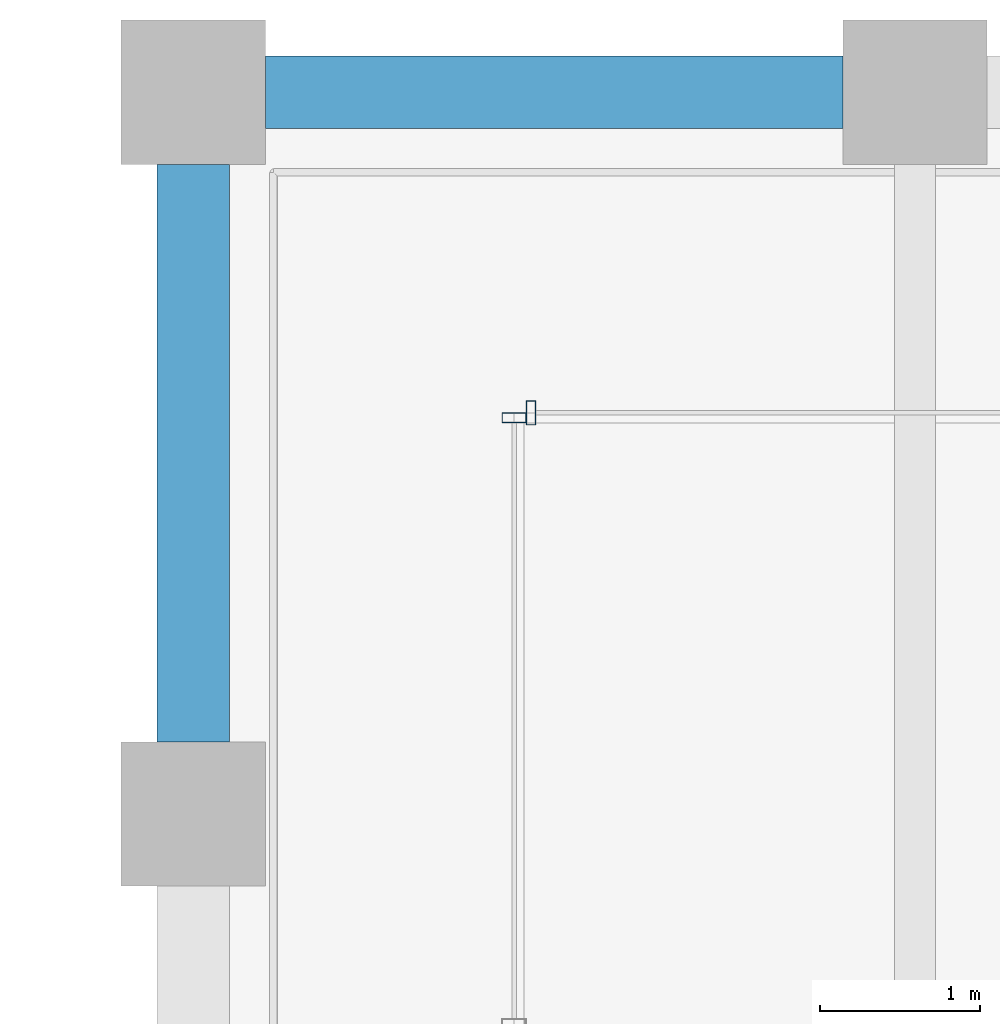
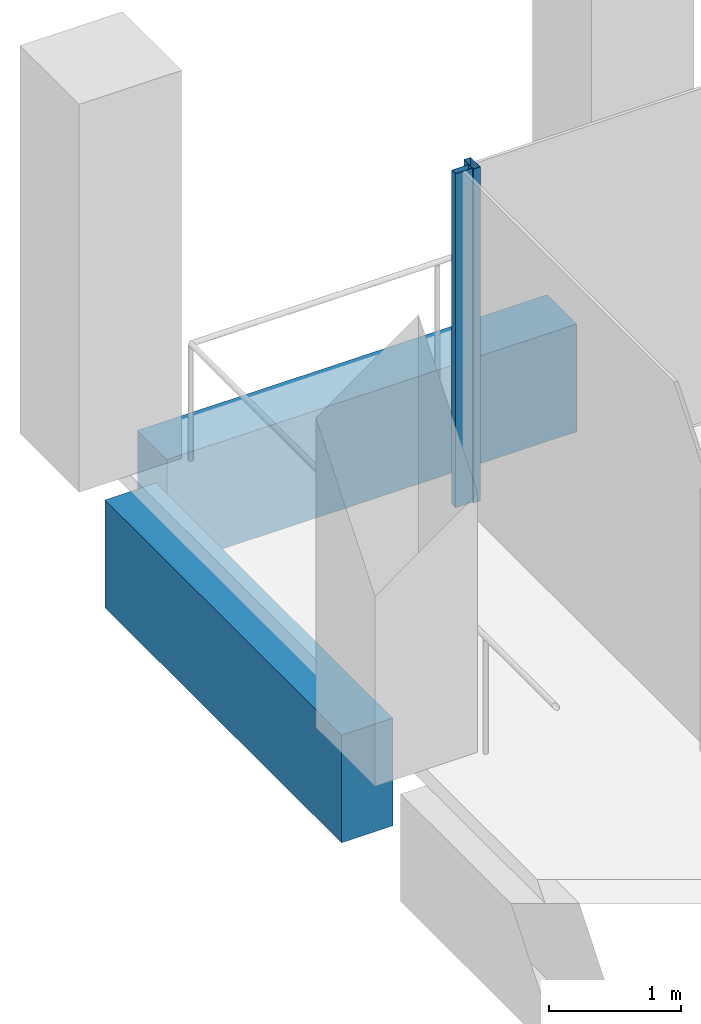
# One storey, part 21 of 40: 2 beams, 2 members, 2 elements without a shape of their own.
"""IFC4 building model written with IfcOpenShell, lengths in metres."""

import ifcopenshell
import ifcopenshell.guid

model = None  # the IFC model being written
_history = None  # IfcOwnerHistory: only IFC2X3 demands one
_inside = {}  # id of a spatial element -> (the spatial element, [elements in it])
_under = {}  # id of a project, library or spatial element -> (it, [spatial elements below it])
_declared = {}  # id of a project -> (the project, [libraries it declares])
_typed = {}  # id of a type object -> (the type object, [elements of that type])
_made_of = {}  # id of a material, layer set ... -> (it, [elements and type objects made of it])


def new_model(schema):
    """Start an empty IFC model of exactly this schema.

    Asked for "IFC4X3", IfcOpenShell would pick the latest addendum, in which some entities
    have other attributes; the version numbers below select the first issue.
    IFC2X3 requires an IfcOwnerHistory on every rooted entity: one is made here for all.
    """
    global model, _history
    if schema == "IFC4X3":
        model = ifcopenshell.file(schema_version=(4, 3, 0, 0))
    else:
        model = ifcopenshell.file(schema=schema)
    _inside.clear()
    _under.clear()
    _declared.clear()
    _typed.clear()
    _made_of.clear()
    _history = None
    if model.schema == "IFC2X3":
        org = make("IfcOrganization", Name="unknown")
        user = make(
            "IfcPersonAndOrganization",
            ThePerson=make("IfcPerson", FamilyName="unknown"),
            TheOrganization=org,
        )
        app = make(
            "IfcApplication",
            ApplicationDeveloper=org,
            Version="unknown",
            ApplicationFullName="unknown",
            ApplicationIdentifier="unknown",
        )
        _history = make(
            "IfcOwnerHistory",
            OwningUser=user,
            OwningApplication=app,
            ChangeAction="ADDED",
            CreationDate=0,
        )
    return model


def make(cls, **values):
    """One entity of the class cls with the attributes given. An attribute that is None is left unset."""
    return model.create_entity(
        cls, **{name: value for name, value in values.items() if value is not None}
    )


def rooted(cls, **values):
    """An entity with a GlobalId (a new one), such as an element, a storey or a relation."""
    return make(cls, GlobalId=ifcopenshell.guid.new(), OwnerHistory=_history, **values)


def si_unit(unit_type, name, prefix=None):
    """IfcSIUnit, for example si_unit("LENGTHUNIT", "METRE", prefix="MILLI")."""
    return make("IfcSIUnit", UnitType=unit_type, Prefix=prefix, Name=name)


def assignment(units):
    """IfcUnitAssignment: the units of a project."""
    return None if units is None else make("IfcUnitAssignment", Units=units)


def point(xyz):
    """IfcCartesianPoint."""
    return None if xyz is None else make("IfcCartesianPoint", Coordinates=xyz)


def direction(xyz):
    """IfcDirection."""
    return None if xyz is None else make("IfcDirection", DirectionRatios=xyz)


def frame(location, z_axis=None, x_axis=None):
    """IfcAxis2Placement3D, a coordinate frame: its origin and axes. An axis left out is left unset."""
    return make(
        "IfcAxis2Placement3D",
        Location=point(location),
        Axis=direction(z_axis),
        RefDirection=direction(x_axis),
    )


def frame_2d(location, x_axis=None):
    """IfcAxis2Placement2D, a coordinate frame in the plane: its origin and x axis."""
    return make(
        "IfcAxis2Placement2D", Location=point(location), RefDirection=direction(x_axis)
    )


def origin():
    """The frame at (0, 0, 0) with its axes left unset."""
    return frame((0.0, 0.0, 0.0))


def origin_2d():
    """The frame at (0, 0) in the plane with its x axis left unset."""
    return frame_2d((0.0, 0.0))


def place(relative_to, where):
    """IfcLocalPlacement: puts the frame where relative to a parent placement (None: the world)."""
    return make(
        "IfcLocalPlacement", PlacementRelTo=relative_to, RelativePlacement=where
    )


def context(
    kind, dimensions, precision=None, world=None, true_north=None, identifier=None
):
    """IfcGeometricRepresentationContext, for example the 3D "Model" context."""
    return make(
        "IfcGeometricRepresentationContext",
        ContextIdentifier=identifier,
        ContextType=kind,
        CoordinateSpaceDimension=dimensions,
        Precision=precision,
        WorldCoordinateSystem=world,
        TrueNorth=true_north,
    )


def subcontext(parent, identifier, kind, view, scale=None):
    """IfcGeometricRepresentationSubContext, for example "Body" below "Model"."""
    return make(
        "IfcGeometricRepresentationSubContext",
        ContextIdentifier=identifier,
        ContextType=kind,
        ParentContext=parent,
        TargetScale=scale,
        TargetView=view,
    )


def project(units=None, contexts=None):
    """IfcProject with its units and contexts."""
    return rooted(
        "IfcProject",
        Name="project",
        RepresentationContexts=contexts,
        UnitsInContext=assignment(units),
    )


def spatial(cls, under=None, at=None, **own):
    """A site, building, storey or space (cls), placed at a placement, below another one or the project."""
    s = rooted(cls, ObjectPlacement=at, **own)
    if under is not None:
        _under.setdefault(under.id(), (under, []))[1].append(s)
    return s


def profile(cls, at=None, kind="AREA", **sizes):
    """A parametric profile (cls). Its sizes go by their IFC names, for example OverallWidth=200.0."""
    return make(cls, ProfileType=kind, Position=at, **sizes)


def rectangle(**sizes):
    """IfcRectangleProfileDef."""
    return profile("IfcRectangleProfileDef", **sizes)


def hollow_rectangle(**sizes):
    """IfcRectangleHollowProfileDef."""
    return profile("IfcRectangleHollowProfileDef", **sizes)


def extrude(swept, where, along, depth):
    """IfcExtrudedAreaSolid: the profile swept, set in the frame where, extruded along a direction by depth."""
    return make(
        "IfcExtrudedAreaSolid",
        SweptArea=swept,
        Position=where,
        ExtrudedDirection=direction(along),
        Depth=depth,
    )


def shape(context_of_items, identifier, shape_type, items):
    """IfcShapeRepresentation: the items that make up one representation, for example the "Body"."""
    return make(
        "IfcShapeRepresentation",
        ContextOfItems=context_of_items,
        RepresentationIdentifier=identifier,
        RepresentationType=shape_type,
        Items=items,
    )


def material(Name=None, Category=None):
    """IfcMaterial."""
    return make("IfcMaterial", Name=Name, Category=Category)


def material_profile(
    of_material, cross_section, Name=None, Category=None, Priority=None
):
    """IfcMaterialProfile: a cross section and its material."""
    return make(
        "IfcMaterialProfile",
        Name=Name,
        Material=of_material,
        Profile=cross_section,
        Priority=Priority,
        Category=Category,
    )


def profile_set(profiles, Name=None, composite=None):
    """IfcMaterialProfileSet."""
    return make(
        "IfcMaterialProfileSet",
        Name=Name,
        MaterialProfiles=profiles,
        CompositeProfile=composite,
    )


def made_of(thing, what):
    """Note that an element or type object is made of a material, layer set ...; save() writes the relation."""
    if what is not None:
        _made_of.setdefault(what.id(), (what, []))[1].append(thing)
    return thing


def type_object(cls, material=None, **own):
    """A type object (cls), such as IfcWallType, which elements share."""
    return made_of(rooted(cls, **own), material)


def element(
    cls,
    number,
    at=None,
    inside=None,
    cuts=None,
    type_object=None,
    material=None,
    context=None,
    identifier="Body",
    shape_type=None,
    held_by="IfcProductDefinitionShape",
    body=None,
    shapes=None,
    **own,
):
    """One element of the class cls, such as IfcWall. Its Tag is "e" and its number.

    at: its placement. inside: the storey or other place that contains it. cuts: it is an
    opening in that element (IfcRelVoidsElement). A single representation is given by context,
    identifier, shape_type and body (its items); several are given by shapes. held_by: the class
    of the entity that holds the representations. save() writes the other relations.
    """
    e = rooted(cls, Tag="e%d" % number, ObjectPlacement=at, **own)
    if body is not None:
        shapes = [shape(context, identifier, shape_type, body)]
    if shapes is not None:
        e.Representation = make(held_by, Representations=shapes)
    if inside is not None:
        _inside.setdefault(inside.id(), (inside, []))[1].append(e)
    if cuts is not None:
        rooted(
            "IfcRelVoidsElement", RelatingBuildingElement=cuts, RelatedOpeningElement=e
        )
    if type_object is not None:
        _typed.setdefault(type_object.id(), (type_object, []))[1].append(e)
    return made_of(e, material)


def aggregate(whole, parts):
    """IfcRelAggregates: a whole, such as a stair, and the parts it consists of."""
    return rooted("IfcRelAggregates", RelatingObject=whole, RelatedObjects=parts)


def save(model, path):
    """Write the relations noted so far, then the file.

    IfcRelAggregates (storeys below a building ...), IfcRelContainedInSpatialStructure (elements
    in a storey), IfcRelDefinesByType, IfcRelAssociatesMaterial and IfcRelDeclares: one each for
    every whole, place, type object, material and project.
    """
    for whole, parts in _under.values():
        aggregate(whole, parts)
    for where, things in _inside.values():
        rooted(
            "IfcRelContainedInSpatialStructure",
            RelatedElements=things,
            RelatingStructure=where,
        )
    for kind, things in _typed.values():
        rooted("IfcRelDefinesByType", RelatedObjects=things, RelatingType=kind)
    for what, things in _made_of.values():
        rooted("IfcRelAssociatesMaterial", RelatedObjects=things, RelatingMaterial=what)
    for by, libraries in _declared.values():
        rooted("IfcRelDeclares", RelatingContext=by, RelatedDefinitions=libraries)
    model.write(path)


model = new_model("IFC4")

# Units and contexts
model_context = context("Model", 3, precision=1e-05, world=origin(), true_north=direction((0.0, 1.0)))
body_context = subcontext(model_context, "Body", "Model", "MODEL_VIEW")
ifc_project = project(units=[si_unit("LENGTHUNIT", "METRE"), si_unit("AREAUNIT", "SQUARE_METRE"), si_unit("VOLUMEUNIT", "CUBIC_METRE"), si_unit("PLANEANGLEUNIT", "RADIAN"), si_unit("MASSUNIT", "GRAM", prefix="KILO")], contexts=[model_context])

# Site, building, storey
site_placement = place(None, origin())
site = spatial("IfcSite", under=ifc_project, at=site_placement, CompositionType="ELEMENT")
building_placement = place(site_placement, origin())
building = spatial("IfcBuilding", under=site, at=building_placement, Name="Altepetl Exchange Towers", CompositionType="ELEMENT")
storey_placement = place(building_placement, frame((0.0, 0.0, 183.39990234375)))
storey = spatial("IfcBuildingStorey", under=building, at=storey_placement, Name="L46", CompositionType="ELEMENT", Elevation=183.39990234375)

# Curtain wall, member
ifc_material_1 = material(Name="Aluminium 6063-T6 glazing", Category="aluminium")
curtain_wall_type = type_object("IfcCurtainWallType", Name="Loggia glazing system", PredefinedType="NOTDEFINED", material=ifc_material_1)
curtain_wall_1_placement = place(storey_placement, origin())
curtain_wall_1 = element("IfcCurtainWall", 1, at=curtain_wall_1_placement, inside=storey, type_object=curtain_wall_type, Name="CW1 run", PredefinedType="NOTDEFINED")
ifc_material_2 = material(Name="Aluminium 6063-T6", Category="aluminium")
ifc_material_profile_1 = material_profile(ifc_material_2, hollow_rectangle(XDim=0.06005859375, YDim=0.14990234375, WallThickness=0.0029296875, at=origin_2d()), Name="Mullion 60x150 aluminium")
ifc_profile_set_1 = profile_set([ifc_material_profile_1], Name="Aluminium 6063-T6")
member_type = type_object("IfcMemberType", Name="Mullion 60x150 aluminium", PredefinedType="MULLION", material=ifc_profile_set_1)
member_1_placement = place(storey_placement, frame((42.60498046875, 70.0, 0.0), z_axis=(0.0, 0.0, 1.0), x_axis=(-1.0, 0.0, 0.0)))
member_1 = element("IfcMember", 2, at=member_1_placement, type_object=member_type, Name="MU1 mullion", PredefinedType="MULLION", context=body_context, shape_type="SweptSolid", body=[
    extrude(hollow_rectangle(XDim=0.06005859375, YDim=0.14990234375, WallThickness=0.0029296875, at=origin_2d()), origin(), (0.0, 0.0, 1.0), 3.10009765625),
])
aggregate(curtain_wall_1, [member_1])

curtain_wall_2_placement = place(storey_placement, origin())
curtain_wall_2 = element("IfcCurtainWall", 3, at=curtain_wall_2_placement, inside=storey, type_object=curtain_wall_type, Name="CW1 run", PredefinedType="NOTDEFINED")
member_2_placement = place(storey_placement, frame((42.5, 69.969970703125, 0.0), z_axis=(0.0, 0.0, 1.0), x_axis=(0.0, -1.0, 0.0)))
member_2 = element("IfcMember", 4, at=member_2_placement, type_object=member_type, Name="MU1 mullion", PredefinedType="MULLION", context=body_context, shape_type="SweptSolid", body=[
    extrude(hollow_rectangle(XDim=0.06005859375, YDim=0.14990234375, WallThickness=0.0029296875, at=origin_2d()), origin(), (0.0, 0.0, 1.0), 3.10009765625),
])
aggregate(curtain_wall_2, [member_2])

# Beams
ifc_material_3 = material(Name="Concrete C50/60 precast with cantera rosa facing", Category="concrete")
ifc_material_profile_2 = material_profile(ifc_material_3, rectangle(XDim=0.449951171875, YDim=1.0, at=origin_2d()), Name="450 x 1000")
ifc_profile_set_2 = profile_set([ifc_material_profile_2], Name="Concrete C50/60 precast with cantera rosa facing")
beam_type_1 = type_object("IfcBeamType", Name="Spandrel beam 450x1000 cantera rosa", PredefinedType="SPANDREL", material=ifc_profile_set_2)
beam_1_placement = place(storey_placement, frame((44.550048828125, 72.0, -0.64990234375), z_axis=(-1.0, 0.0, 0.0), x_axis=(0.0, -1.0, 0.0)))
element("IfcBeam", 5, at=beam_1_placement, inside=storey, type_object=beam_type_1, Name="sp:A:L46:029", PredefinedType="SPANDREL", context=body_context, shape_type="SweptSolid", body=[
    extrude(rectangle(XDim=0.449951171875, YDim=1.0, at=origin_2d()), origin(), (0.0, 0.0, 1.0), 3.60009765625),
])
ifc_material_4 = material(Name="Concrete C50/60 precast with tezontle facing", Category="concrete")
ifc_material_profile_3 = material_profile(ifc_material_4, rectangle(XDim=0.449951171875, YDim=1.0, at=origin_2d()), Name="450 x 1000")
ifc_profile_set_3 = profile_set([ifc_material_profile_3], Name="Concrete C50/60 precast with tezontle facing")
beam_type_2 = type_object("IfcBeamType", Name="Spandrel beam 450x1000 tezontle", PredefinedType="SPANDREL", material=ifc_profile_set_3)
beam_2_placement = place(storey_placement, frame((40.5, 71.550048828125, -0.64990234375), z_axis=(0.0, -1.0, 0.0), x_axis=(1.0, 0.0, 0.0)))
element("IfcBeam", 6, at=beam_2_placement, inside=storey, type_object=beam_type_2, Name="sp:A:L46:030", PredefinedType="SPANDREL", context=body_context, shape_type="SweptSolid", body=[
    extrude(rectangle(XDim=0.449951171875, YDim=1.0, at=origin_2d()), origin(), (0.0, 0.0, 1.0), 3.60009765625),
])

save(model, "model.ifc")
